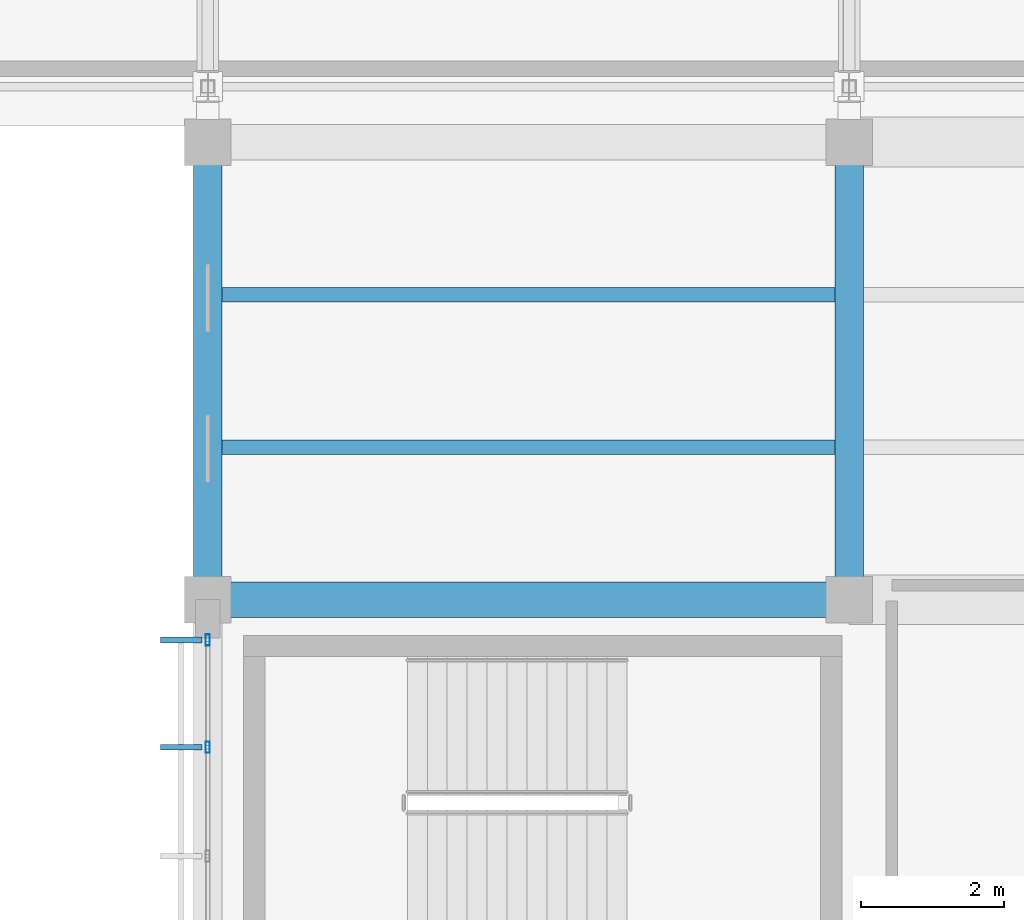
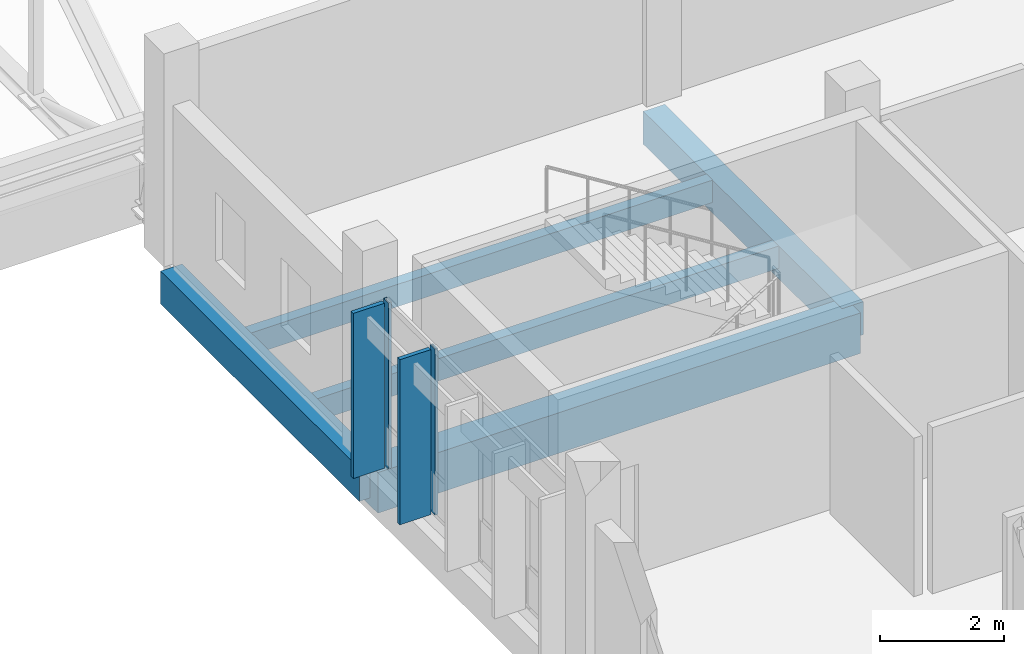
# One storey, part 99 of 182: 5 beams, 4 members, 1 element without a shape of its own.
"""IFC4 building model written with IfcOpenShell, lengths in metres."""

import ifcopenshell
import ifcopenshell.guid

model = None  # the IFC model being written
_history = None  # IfcOwnerHistory: only IFC2X3 demands one
_inside = {}  # id of a spatial element -> (the spatial element, [elements in it])
_under = {}  # id of a project, library or spatial element -> (it, [spatial elements below it])
_declared = {}  # id of a project -> (the project, [libraries it declares])
_typed = {}  # id of a type object -> (the type object, [elements of that type])
_made_of = {}  # id of a material, layer set ... -> (it, [elements and type objects made of it])


def new_model(schema):
    """Start an empty IFC model of exactly this schema.

    Asked for "IFC4X3", IfcOpenShell would pick the latest addendum, in which some entities
    have other attributes; the version numbers below select the first issue.
    IFC2X3 requires an IfcOwnerHistory on every rooted entity: one is made here for all.
    """
    global model, _history
    if schema == "IFC4X3":
        model = ifcopenshell.file(schema_version=(4, 3, 0, 0))
    else:
        model = ifcopenshell.file(schema=schema)
    _inside.clear()
    _under.clear()
    _declared.clear()
    _typed.clear()
    _made_of.clear()
    _history = None
    if model.schema == "IFC2X3":
        org = make("IfcOrganization", Name="unknown")
        user = make(
            "IfcPersonAndOrganization",
            ThePerson=make("IfcPerson", FamilyName="unknown"),
            TheOrganization=org,
        )
        app = make(
            "IfcApplication",
            ApplicationDeveloper=org,
            Version="unknown",
            ApplicationFullName="unknown",
            ApplicationIdentifier="unknown",
        )
        _history = make(
            "IfcOwnerHistory",
            OwningUser=user,
            OwningApplication=app,
            ChangeAction="ADDED",
            CreationDate=0,
        )
    return model


def make(cls, **values):
    """One entity of the class cls with the attributes given. An attribute that is None is left unset."""
    return model.create_entity(
        cls, **{name: value for name, value in values.items() if value is not None}
    )


def rooted(cls, **values):
    """An entity with a GlobalId (a new one), such as an element, a storey or a relation."""
    return make(cls, GlobalId=ifcopenshell.guid.new(), OwnerHistory=_history, **values)


def si_unit(unit_type, name, prefix=None):
    """IfcSIUnit, for example si_unit("LENGTHUNIT", "METRE", prefix="MILLI")."""
    return make("IfcSIUnit", UnitType=unit_type, Prefix=prefix, Name=name)


def assignment(units):
    """IfcUnitAssignment: the units of a project."""
    return None if units is None else make("IfcUnitAssignment", Units=units)


def point(xyz):
    """IfcCartesianPoint."""
    return None if xyz is None else make("IfcCartesianPoint", Coordinates=xyz)


def direction(xyz):
    """IfcDirection."""
    return None if xyz is None else make("IfcDirection", DirectionRatios=xyz)


def frame(location, z_axis=None, x_axis=None):
    """IfcAxis2Placement3D, a coordinate frame: its origin and axes. An axis left out is left unset."""
    return make(
        "IfcAxis2Placement3D",
        Location=point(location),
        Axis=direction(z_axis),
        RefDirection=direction(x_axis),
    )


def frame_2d(location, x_axis=None):
    """IfcAxis2Placement2D, a coordinate frame in the plane: its origin and x axis."""
    return make(
        "IfcAxis2Placement2D", Location=point(location), RefDirection=direction(x_axis)
    )


def origin():
    """The frame at (0, 0, 0) with its axes left unset."""
    return frame((0.0, 0.0, 0.0))


def origin_2d():
    """The frame at (0, 0) in the plane with its x axis left unset."""
    return frame_2d((0.0, 0.0))


def place(relative_to, where):
    """IfcLocalPlacement: puts the frame where relative to a parent placement (None: the world)."""
    return make(
        "IfcLocalPlacement", PlacementRelTo=relative_to, RelativePlacement=where
    )


def context(
    kind, dimensions, precision=None, world=None, true_north=None, identifier=None
):
    """IfcGeometricRepresentationContext, for example the 3D "Model" context."""
    return make(
        "IfcGeometricRepresentationContext",
        ContextIdentifier=identifier,
        ContextType=kind,
        CoordinateSpaceDimension=dimensions,
        Precision=precision,
        WorldCoordinateSystem=world,
        TrueNorth=true_north,
    )


def subcontext(parent, identifier, kind, view, scale=None):
    """IfcGeometricRepresentationSubContext, for example "Body" below "Model"."""
    return make(
        "IfcGeometricRepresentationSubContext",
        ContextIdentifier=identifier,
        ContextType=kind,
        ParentContext=parent,
        TargetScale=scale,
        TargetView=view,
    )


def project(units=None, contexts=None):
    """IfcProject with its units and contexts."""
    return rooted(
        "IfcProject",
        Name="project",
        RepresentationContexts=contexts,
        UnitsInContext=assignment(units),
    )


def spatial(cls, under=None, at=None, **own):
    """A site, building, storey or space (cls), placed at a placement, below another one or the project."""
    s = rooted(cls, ObjectPlacement=at, **own)
    if under is not None:
        _under.setdefault(under.id(), (under, []))[1].append(s)
    return s


def profile(cls, at=None, kind="AREA", **sizes):
    """A parametric profile (cls). Its sizes go by their IFC names, for example OverallWidth=200.0."""
    return make(cls, ProfileType=kind, Position=at, **sizes)


def rectangle(**sizes):
    """IfcRectangleProfileDef."""
    return profile("IfcRectangleProfileDef", **sizes)


def hollow_rectangle(**sizes):
    """IfcRectangleHollowProfileDef."""
    return profile("IfcRectangleHollowProfileDef", **sizes)


def extrude(swept, where, along, depth):
    """IfcExtrudedAreaSolid: the profile swept, set in the frame where, extruded along a direction by depth."""
    return make(
        "IfcExtrudedAreaSolid",
        SweptArea=swept,
        Position=where,
        ExtrudedDirection=direction(along),
        Depth=depth,
    )


def shape(context_of_items, identifier, shape_type, items):
    """IfcShapeRepresentation: the items that make up one representation, for example the "Body"."""
    return make(
        "IfcShapeRepresentation",
        ContextOfItems=context_of_items,
        RepresentationIdentifier=identifier,
        RepresentationType=shape_type,
        Items=items,
    )


def material(Name=None, Category=None):
    """IfcMaterial."""
    return make("IfcMaterial", Name=Name, Category=Category)


def material_profile(
    of_material, cross_section, Name=None, Category=None, Priority=None
):
    """IfcMaterialProfile: a cross section and its material."""
    return make(
        "IfcMaterialProfile",
        Name=Name,
        Material=of_material,
        Profile=cross_section,
        Priority=Priority,
        Category=Category,
    )


def profile_set(profiles, Name=None, composite=None):
    """IfcMaterialProfileSet."""
    return make(
        "IfcMaterialProfileSet",
        Name=Name,
        MaterialProfiles=profiles,
        CompositeProfile=composite,
    )


def made_of(thing, what):
    """Note that an element or type object is made of a material, layer set ...; save() writes the relation."""
    if what is not None:
        _made_of.setdefault(what.id(), (what, []))[1].append(thing)
    return thing


def type_object(cls, material=None, **own):
    """A type object (cls), such as IfcWallType, which elements share."""
    return made_of(rooted(cls, **own), material)


def element(
    cls,
    number,
    at=None,
    inside=None,
    cuts=None,
    type_object=None,
    material=None,
    context=None,
    identifier="Body",
    shape_type=None,
    held_by="IfcProductDefinitionShape",
    body=None,
    shapes=None,
    **own,
):
    """One element of the class cls, such as IfcWall. Its Tag is "e" and its number.

    at: its placement. inside: the storey or other place that contains it. cuts: it is an
    opening in that element (IfcRelVoidsElement). A single representation is given by context,
    identifier, shape_type and body (its items); several are given by shapes. held_by: the class
    of the entity that holds the representations. save() writes the other relations.
    """
    e = rooted(cls, Tag="e%d" % number, ObjectPlacement=at, **own)
    if body is not None:
        shapes = [shape(context, identifier, shape_type, body)]
    if shapes is not None:
        e.Representation = make(held_by, Representations=shapes)
    if inside is not None:
        _inside.setdefault(inside.id(), (inside, []))[1].append(e)
    if cuts is not None:
        rooted(
            "IfcRelVoidsElement", RelatingBuildingElement=cuts, RelatedOpeningElement=e
        )
    if type_object is not None:
        _typed.setdefault(type_object.id(), (type_object, []))[1].append(e)
    return made_of(e, material)


def aggregate(whole, parts):
    """IfcRelAggregates: a whole, such as a stair, and the parts it consists of."""
    return rooted("IfcRelAggregates", RelatingObject=whole, RelatedObjects=parts)


def save(model, path):
    """Write the relations noted so far, then the file.

    IfcRelAggregates (storeys below a building ...), IfcRelContainedInSpatialStructure (elements
    in a storey), IfcRelDefinesByType, IfcRelAssociatesMaterial and IfcRelDeclares: one each for
    every whole, place, type object, material and project.
    """
    for whole, parts in _under.values():
        aggregate(whole, parts)
    for where, things in _inside.values():
        rooted(
            "IfcRelContainedInSpatialStructure",
            RelatedElements=things,
            RelatingStructure=where,
        )
    for kind, things in _typed.values():
        rooted("IfcRelDefinesByType", RelatedObjects=things, RelatingType=kind)
    for what, things in _made_of.values():
        rooted("IfcRelAssociatesMaterial", RelatedObjects=things, RelatingMaterial=what)
    for by, libraries in _declared.values():
        rooted("IfcRelDeclares", RelatingContext=by, RelatedDefinitions=libraries)
    model.write(path)


model = new_model("IFC4")

# Units and contexts
model_context = context("Model", 3, precision=1e-05, world=origin(), true_north=direction((0.0, 1.0)))
body_context = subcontext(model_context, "Body", "Model", "MODEL_VIEW")
ifc_project = project(units=[si_unit("LENGTHUNIT", "METRE"), si_unit("AREAUNIT", "SQUARE_METRE"), si_unit("VOLUMEUNIT", "CUBIC_METRE"), si_unit("PLANEANGLEUNIT", "RADIAN"), si_unit("MASSUNIT", "GRAM", prefix="KILO")], contexts=[model_context])

# Site, building, storey
site_placement = place(None, origin())
site = spatial("IfcSite", under=ifc_project, at=site_placement, CompositionType="ELEMENT")
building_placement = place(site_placement, origin())
building = spatial("IfcBuilding", under=site, at=building_placement, Name="Chiffa Square Polytechnic", CompositionType="ELEMENT")
storey_placement = place(building_placement, frame((0.0, 0.0, 9.60009765625)))
storey = spatial("IfcBuildingStorey", under=building, at=storey_placement, Name="L02", CompositionType="ELEMENT", Elevation=9.60009765625)

# Beams
ifc_material_1 = material(Name="Concrete C35/45", Category="concrete")
ifc_material_profile_1 = material_profile(ifc_material_1, rectangle(XDim=0.39990234375, YDim=0.64990234375, at=origin_2d()), Name="RC 400x650")
ifc_profile_set_1 = profile_set([ifc_material_profile_1], Name="Concrete C35/45")
beam_type_1 = type_object("IfcBeamType", Name="BM-RC-400X650", PredefinedType="BEAM", material=ifc_profile_set_1)
for number, where, z_axis, x_axis, name in (
    (1, (148.199951171875, 51.0, -0.64501953125), (0.0, 1.0, 0.0), (-1.0, 0.0, 0.0), "Primary floor girder BM-V1-L02-Y-1482-0510"),
    (2, (157.199951171875, 51.0, -0.64501953125), (0.0, 1.0, 0.0), (-1.0, 0.0, 0.0), "Primary floor girder BM-V1-L02-Y-1572-0510"),
):
    element("IfcBeam", number, at=place(storey_placement, frame(where, z_axis=z_axis, x_axis=x_axis)), inside=storey, type_object=beam_type_1, Name=name, PredefinedType="BEAM", context=body_context, shape_type="SweptSolid", body=[
        extrude(rectangle(XDim=0.39990234375, YDim=0.64990234375, at=origin_2d()), origin(), (0.0, 0.0, 1.0), 6.419921875),
    ])
ifc_material_2 = material(Name="Concrete C40/50", Category="concrete")
ifc_material_profile_2 = material_profile(ifc_material_2, rectangle(XDim=0.5, YDim=0.800048828125, at=origin_2d()), Name="RC 500x800")
ifc_profile_set_2 = profile_set([ifc_material_profile_2], Name="Concrete C40/50")
beam_type_2 = type_object("IfcBeamType", Name="BM-RC-500X800", PredefinedType="BEAM", material=ifc_profile_set_2)
beam_placement = place(storey_placement, frame((148.199951171875, 51.0, -0.72021484375), z_axis=(1.0, 0.0, 0.0), x_axis=(0.0, 1.0, 0.0)))
element("IfcBeam", 3, at=beam_placement, inside=storey, type_object=beam_type_2, Name="Primary floor girder BM-V1-L02-X-1482-0510", PredefinedType="BEAM", context=body_context, shape_type="SweptSolid", body=[
    extrude(rectangle(XDim=0.5, YDim=0.800048828125, at=origin_2d()), origin(), (0.0, 0.0, 1.0), 9.0),
])

# Curtain wall, members
ifc_material_3 = material(Name="Aluminium EN AW-6060 T66 and glulam shading", Category="wood")
curtain_wall_type = type_object("IfcCurtainWallType", Name="CW-VERT-450X380", PredefinedType="USERDEFINED", material=ifc_material_3)
curtain_wall_placement = place(storey_placement, origin())
curtain_wall = element("IfcCurtainWall", 4, at=curtain_wall_placement, inside=storey, type_object=curtain_wall_type, Name="Curtain wall CW-V1-L02-130", ObjectType="CURTAIN WALL", PredefinedType="USERDEFINED")
ifc_material_4 = material(Name="Aluminium EN AW-6060 T66", Category="aluminium")
ifc_material_profile_3 = material_profile(ifc_material_4, hollow_rectangle(XDim=0.06005859375, YDim=0.159912109375, WallThickness=0.00390625, at=origin_2d()), Name="ALU 60x160x4")
ifc_profile_set_3 = profile_set([ifc_material_profile_3], Name="Aluminium EN AW-6060 T66")
member_type_1 = type_object("IfcMemberType", Name="CWM-ALU-65X150", PredefinedType="MULLION", material=ifc_profile_set_3)
member_1_placement = place(storey_placement, frame((148.199951171875, 50.43505859375, 0.0), z_axis=(0.0, 0.0, 1.0), x_axis=(1.0, 0.0, 0.0)))
member_1 = element("IfcMember", 5, at=member_1_placement, type_object=member_type_1, Name="Curtain wall mullion CW-V1-L02-130-M00", PredefinedType="MULLION", context=body_context, shape_type="SweptSolid", body=[
    extrude(hollow_rectangle(XDim=0.06005859375, YDim=0.159912109375, WallThickness=0.00390625, at=origin_2d()), origin(), (0.0, 0.0, 1.0), 3.27490234375),
])
member_2_placement = place(storey_placement, frame((148.199951171875, 48.929931640625, 0.0), z_axis=(0.0, 0.0, 1.0), x_axis=(1.0, 0.0, 0.0)))
member_2 = element("IfcMember", 6, at=member_2_placement, type_object=member_type_1, Name="Curtain wall mullion CW-V1-L02-130-M01", PredefinedType="MULLION", context=body_context, shape_type="SweptSolid", body=[
    extrude(hollow_rectangle(XDim=0.06005859375, YDim=0.159912109375, WallThickness=0.00390625, at=origin_2d()), origin(), (0.0, 0.0, 1.0), 3.27490234375),
])
ifc_material_5 = material(Name="Glulam GL28h", Category="wood")
ifc_material_profile_4 = material_profile(ifc_material_5, rectangle(XDim=0.080078125, YDim=0.580078125, at=origin_2d()), Name="GL28h 80x580")
ifc_profile_set_4 = profile_set([ifc_material_profile_4], Name="Glulam GL28h")
member_type_2 = type_object("IfcMemberType", Name="CWM-GL-80X580", PredefinedType="MULLION", material=ifc_profile_set_4)
member_3_placement = place(storey_placement, frame((147.827880859375, 50.43505859375, 0.010009765625), z_axis=(0.0, 0.0, 1.0), x_axis=(0.0, -1.0, 0.0)))
member_3 = element("IfcMember", 7, at=member_3_placement, type_object=member_type_2, Name="Exterior glulam solar fin CW-V1-L02-130-FN00", PredefinedType="MULLION", context=body_context, shape_type="SweptSolid", body=[
    extrude(rectangle(XDim=0.080078125, YDim=0.580078125, at=origin_2d()), origin(), (0.0, 0.0, 1.0), 3.2548828125),
])
member_4_placement = place(storey_placement, frame((147.827880859375, 48.929931640625, 0.010009765625), z_axis=(0.0, 0.0, 1.0), x_axis=(0.0, -1.0, 0.0)))
member_4 = element("IfcMember", 8, at=member_4_placement, type_object=member_type_2, Name="Exterior glulam solar fin CW-V1-L02-130-FN01", PredefinedType="MULLION", context=body_context, shape_type="SweptSolid", body=[
    extrude(rectangle(XDim=0.080078125, YDim=0.580078125, at=origin_2d()), origin(), (0.0, 0.0, 1.0), 3.2548828125),
])
aggregate(curtain_wall, [member_1, member_3, member_2, member_4])

# Beams
ifc_material_profile_5 = material_profile(ifc_material_5, rectangle(XDim=0.199951171875, YDim=0.43994140625, at=origin_2d()), Name="GL28h 200x440")
ifc_profile_set_5 = profile_set([ifc_material_profile_5], Name="Glulam GL28h")
beam_type_3 = type_object("IfcBeamType", Name="JST-GL-200X440", PredefinedType="JOIST", material=ifc_profile_set_5)
for number, where, z_axis, x_axis, name in (
    (9, (148.39794921875, 53.139892578125, -0.5400390625), (1.0, 0.0, 0.0), (0.0, 1.0, 0.0), "Secondary floor joist JST-V1-L02-1482-0531"),
    (10, (148.39794921875, 55.280029296875, -0.5400390625), (1.0, 0.0, 0.0), (0.0, 1.0, 0.0), "Secondary floor joist JST-V1-L02-1482-0553"),
):
    element("IfcBeam", number, at=place(storey_placement, frame(where, z_axis=z_axis, x_axis=x_axis)), inside=storey, type_object=beam_type_3, Name=name, PredefinedType="JOIST", context=body_context, shape_type="SweptSolid", body=[
        extrude(rectangle(XDim=0.199951171875, YDim=0.43994140625, at=origin_2d()), origin(), (0.0, 0.0, 1.0), 8.60400390625),
    ])

save(model, "model.ifc")
